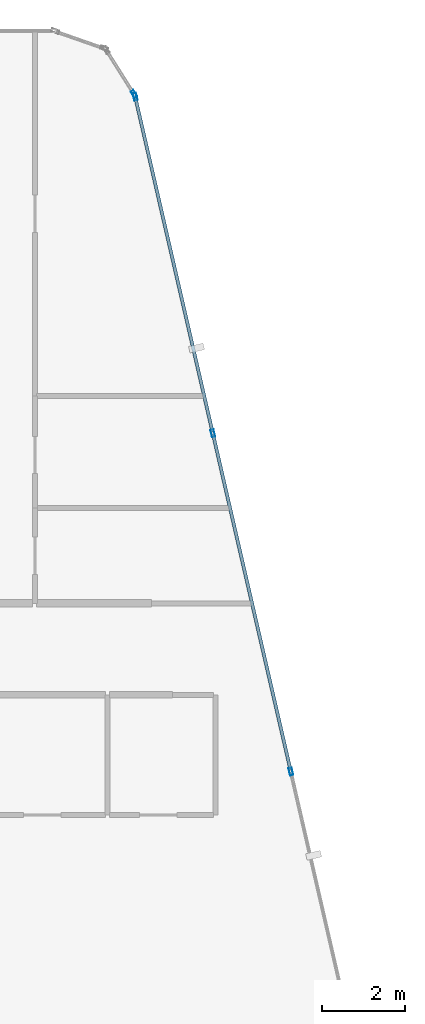
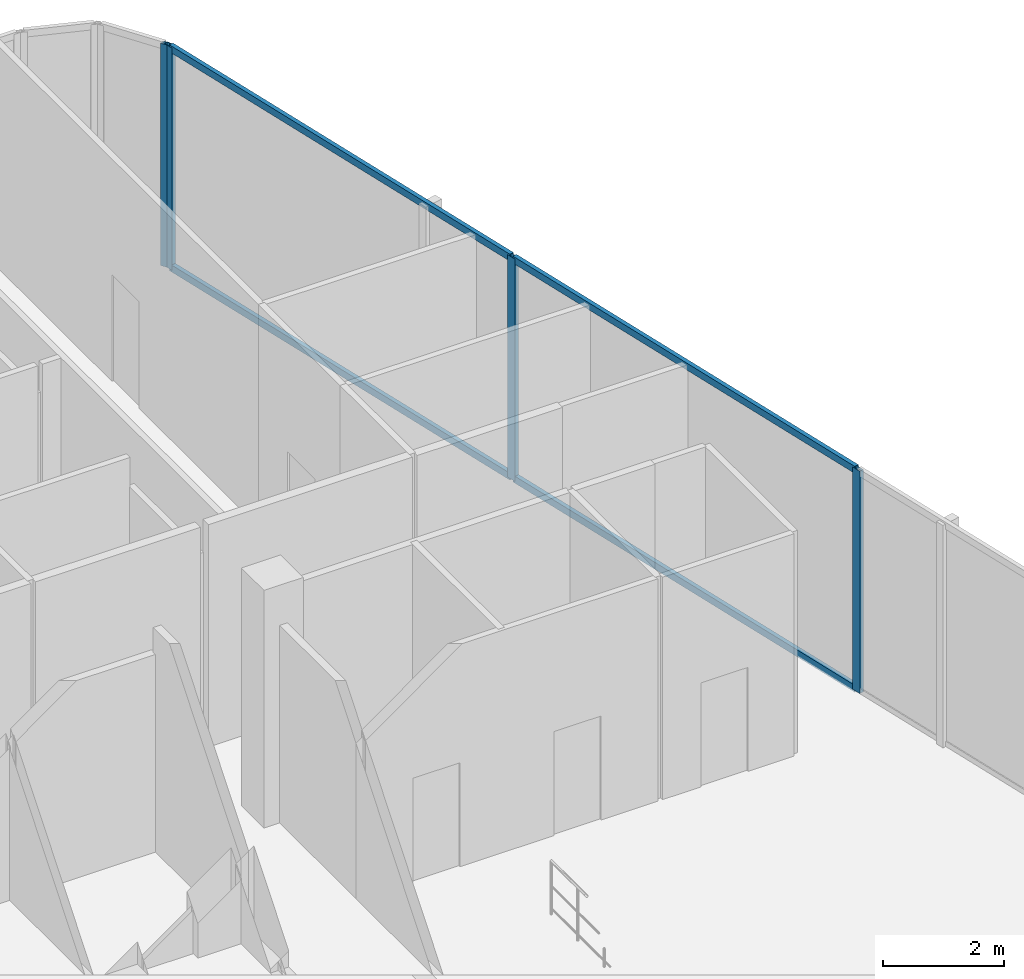
# One storey, part 20 of 29: 8 members, 2 elements without a shape of their own.
"""IFC4 building model written with IfcOpenShell, lengths in metres."""

from ifc_helpers import new_model, si_unit, direction, frame, origin, origin_2d, place, context, subcontext, project, spatial, hollow_rectangle, extrude, material, layer, layer_set, material_profile, profile_set, type_object, element, aggregate, save


model = new_model("IFC4")

# Units and contexts
model_context = context("Model", 3, precision=1e-05, world=origin(), true_north=direction((0.0, 1.0)))
body_context = subcontext(model_context, "Body", "Model", "MODEL_VIEW")
ifc_project = project(units=[si_unit("LENGTHUNIT", "METRE"), si_unit("AREAUNIT", "SQUARE_METRE"), si_unit("VOLUMEUNIT", "CUBIC_METRE"), si_unit("PLANEANGLEUNIT", "RADIAN"), si_unit("MASSUNIT", "GRAM", prefix="KILO")], contexts=[model_context])

# Site, building, storey
site_placement = place(None, origin())
site = spatial("IfcSite", under=ifc_project, at=site_placement, CompositionType="ELEMENT")
building_placement = place(site_placement, origin())
building = spatial("IfcBuilding", under=site, at=building_placement, Name="Keshet Zoharim Tower", CompositionType="ELEMENT")
storey_placement = place(building_placement, frame((0.0, 0.0, 218.0)))
storey = spatial("IfcBuildingStorey", under=building, at=storey_placement, Name="L54", CompositionType="ELEMENT", Elevation=218.0)

# Curtain wall, member
ifc_material = material(Name="Aluminium 6063-T6", Category="aluminium")
ifc_layer = layer(ifc_material, 0.14990234375)
ifc_layer_set = layer_set([ifc_layer], Name="Aluminium 6063-T6")
curtain_wall_type = type_object("IfcCurtainWallType", Name="CW-SYS-04", PredefinedType="NOTDEFINED", material=ifc_layer_set)
curtain_wall_1_placement = place(storey_placement, origin())
curtain_wall_1 = element("IfcCurtainWall", 1, at=curtain_wall_1_placement, inside=storey, type_object=curtain_wall_type, Name="L54 Unitised Curtain Wall 18", PredefinedType="NOTDEFINED")
ifc_material_profile_1 = material_profile(ifc_material, hollow_rectangle(XDim=0.080078125, YDim=0.179931640625, WallThickness=0.00439453125, at=origin_2d()), Name="MUL-80x180")
ifc_profile_set_1 = profile_set([ifc_material_profile_1], Name="Aluminium 6063-T6")
member_type_1 = type_object("IfcMemberType", Name="CWM-M18", PredefinedType="MULLION", material=ifc_profile_set_1)
member_1_placement = place(storey_placement, frame((39.33935546875, 52.379638671875, 0.0), z_axis=(0.0, 0.0, 1.0), x_axis=(0.845560976183, 0.533878858502, 0.0)))
member_1 = element("IfcMember", 2, at=member_1_placement, type_object=member_type_1, Name="CW-04 mullion 2", PredefinedType="MULLION", context=body_context, shape_type="SweptSolid", body=[
    extrude(hollow_rectangle(XDim=0.080078125, YDim=0.179931640625, WallThickness=0.00439453125, at=origin_2d()), origin(), (0.0, 0.0, 1.0), 4.489990234375),
])
aggregate(curtain_wall_1, [member_1])

# Curtain wall, members
curtain_wall_2_placement = place(storey_placement, origin())
curtain_wall_2 = element("IfcCurtainWall", 3, at=curtain_wall_2_placement, inside=storey, type_object=curtain_wall_type, Name="L54 Unitised Curtain Wall 19", PredefinedType="NOTDEFINED")
member_2_placement = place(storey_placement, frame((39.365966796875, 52.31591796875, 0.0), z_axis=(0.0, 0.0, 1.0), x_axis=(0.974393882313, 0.224847864369, 0.0)))
member_2 = element("IfcMember", 4, at=member_2_placement, type_object=member_type_1, Name="CW-04 mullion 1", PredefinedType="MULLION", context=body_context, shape_type="SweptSolid", body=[
    extrude(hollow_rectangle(XDim=0.080078125, YDim=0.179931640625, WallThickness=0.00439453125, at=origin_2d()), origin(), (0.0, 0.0, 1.0), 4.489990234375),
])
member_3_placement = place(storey_placement, frame((41.23876953125, 44.199951171875, 0.0), z_axis=(0.0, 0.0, 1.0), x_axis=(0.974393882313, 0.224847864369, 0.0)))
member_3 = element("IfcMember", 5, at=member_3_placement, type_object=member_type_1, Name="CW-04 mullion 2", PredefinedType="MULLION", context=body_context, shape_type="SweptSolid", body=[
    extrude(hollow_rectangle(XDim=0.080078125, YDim=0.179931640625, WallThickness=0.00439453125, at=origin_2d()), origin(), (0.0, 0.0, 1.0), 4.489990234375),
])
member_4_placement = place(storey_placement, frame((43.119384765625, 36.050048828125, 0.0), z_axis=(0.0, 0.0, 1.0), x_axis=(0.974393882313, 0.224847864369, 0.0)))
member_4 = element("IfcMember", 6, at=member_4_placement, type_object=member_type_1, Name="CW-04 mullion 3", PredefinedType="MULLION", context=body_context, shape_type="SweptSolid", body=[
    extrude(hollow_rectangle(XDim=0.080078125, YDim=0.179931640625, WallThickness=0.00439453125, at=origin_2d()), origin(), (0.0, 0.0, 1.0), 4.489990234375),
])
ifc_material_profile_2 = material_profile(ifc_material, hollow_rectangle(XDim=0.080078125, YDim=0.139892578125, WallThickness=0.00390625, at=origin_2d()), Name="TRN-80x140")
ifc_profile_set_2 = profile_set([ifc_material_profile_2], Name="Aluminium 6063-T6")
member_type_2 = type_object("IfcMemberType", Name="CWT-T14", PredefinedType="USERDEFINED", material=ifc_profile_set_2)
member_5_placement = place(storey_placement, frame((39.373779296875, 52.28173828125, 0.034912109375), z_axis=(0.224835758738, -0.974396675688, 0.0), x_axis=(0.974396675688, 0.224835758738, 0.0)))
member_5 = element("IfcMember", 7, at=member_5_placement, type_object=member_type_2, Name="CW-04 transom 1.1", ObjectType="TRANSOM", PredefinedType="USERDEFINED", context=body_context, shape_type="SweptSolid", body=[
    extrude(hollow_rectangle(XDim=0.080078125, YDim=0.139892578125, WallThickness=0.00390625, at=origin_2d()), origin(), (0.0, 0.0, 1.0), 8.259033203125),
])
member_6_placement = place(storey_placement, frame((39.373779296875, 52.28173828125, 4.455078125), z_axis=(0.224835758738, -0.974396675688, 0.0), x_axis=(0.974396675688, 0.224835758738, 0.0)))
member_6 = element("IfcMember", 8, at=member_6_placement, type_object=member_type_2, Name="CW-04 transom 1.2", ObjectType="TRANSOM", PredefinedType="USERDEFINED", context=body_context, shape_type="SweptSolid", body=[
    extrude(hollow_rectangle(XDim=0.080078125, YDim=0.139892578125, WallThickness=0.00390625, at=origin_2d()), origin(), (0.0, 0.0, 1.0), 8.259033203125),
])
member_7_placement = place(storey_placement, frame((41.24658203125, 44.166015625, 0.034912109375), z_axis=(0.224848758198, -0.974393676055, 0.0), x_axis=(0.974393676055, 0.224848758198, 0.0)))
member_7 = element("IfcMember", 9, at=member_7_placement, type_object=member_type_2, Name="CW-04 transom 2.1", ObjectType="TRANSOM", PredefinedType="USERDEFINED", context=body_context, shape_type="SweptSolid", body=[
    extrude(hollow_rectangle(XDim=0.080078125, YDim=0.139892578125, WallThickness=0.00390625, at=origin_2d()), origin(), (0.0, 0.0, 1.0), 8.29443359375),
])
member_8_placement = place(storey_placement, frame((41.24658203125, 44.166015625, 4.455078125), z_axis=(0.224848758198, -0.974393676055, 0.0), x_axis=(0.974393676055, 0.224848758198, 0.0)))
member_8 = element("IfcMember", 10, at=member_8_placement, type_object=member_type_2, Name="CW-04 transom 2.2", ObjectType="TRANSOM", PredefinedType="USERDEFINED", context=body_context, shape_type="SweptSolid", body=[
    extrude(hollow_rectangle(XDim=0.080078125, YDim=0.139892578125, WallThickness=0.00390625, at=origin_2d()), origin(), (0.0, 0.0, 1.0), 8.29443359375),
])
aggregate(curtain_wall_2, [member_2, member_3, member_4, member_5, member_6, member_7, member_8])

save(model, "model.ifc")
